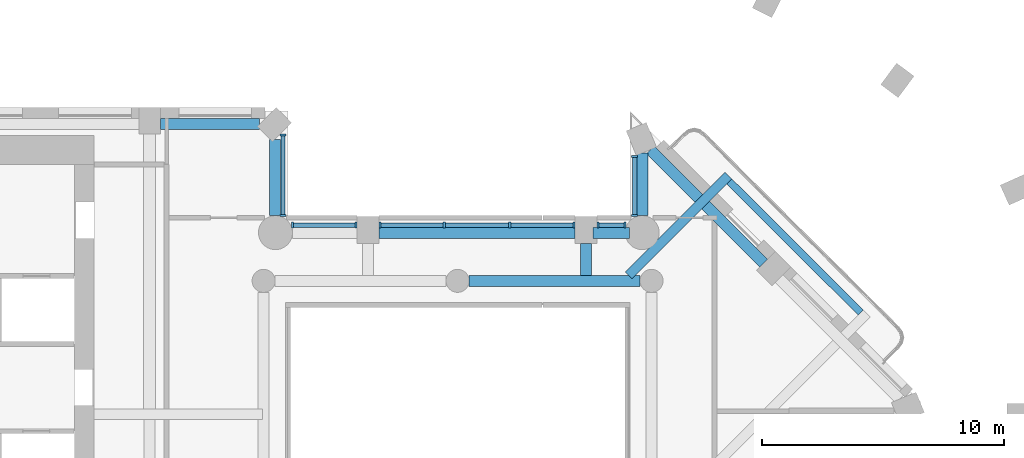
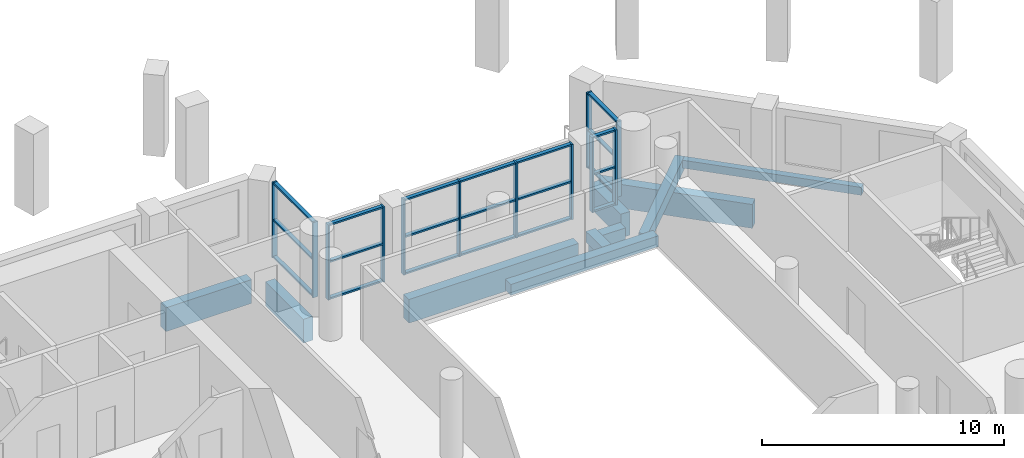
# One storey, part 2 of 16: 33 members, 10 beams, 5 elements without a shape of their own.
"""IFC4 building model written with IfcOpenShell, lengths in metres."""

from ifc_helpers import new_model, si_unit, direction, frame, origin, origin_2d, place, context, subcontext, project, spatial, rectangle, extrude, material, material_profile, profile_set, type_object, element, aggregate, save


model = new_model("IFC4")

# Units and contexts
model_context = context("Model", 3, precision=1e-05, world=origin(), true_north=direction((0.0, 1.0)))
body_context = subcontext(model_context, "Body", "Model", "MODEL_VIEW")
ifc_project = project(units=[si_unit("LENGTHUNIT", "METRE"), si_unit("AREAUNIT", "SQUARE_METRE"), si_unit("VOLUMEUNIT", "CUBIC_METRE"), si_unit("PLANEANGLEUNIT", "RADIAN"), si_unit("MASSUNIT", "GRAM", prefix="KILO")], contexts=[model_context])

# Site, building, storey
site_placement = place(None, origin())
site = spatial("IfcSite", under=ifc_project, at=site_placement, CompositionType="ELEMENT")
building_placement = place(site_placement, origin())
building = spatial("IfcBuilding", under=site, at=building_placement, Name="Cypress Arch Tower", CompositionType="ELEMENT")
storey_placement = place(building_placement, frame((0.0, 0.0, 197.39990234375)))
storey = spatial("IfcBuildingStorey", under=building, at=storey_placement, Name="L43", CompositionType="ELEMENT", Elevation=197.39990234375)

# Beams
ifc_material_1 = material(Name="Concrete C50/60", Category="concrete")
ifc_material_profile_1 = material_profile(ifc_material_1, rectangle(XDim=0.300048828125, YDim=0.39990234375, at=origin_2d()), Name="RC 300x400")
ifc_profile_set_1 = profile_set([ifc_material_profile_1], Name="Concrete C50/60")
beam_type_1 = type_object("IfcBeamType", Name="Balcony edge beam RC 300x400 Concrete C50/60", PredefinedType="BEAM", material=ifc_profile_set_1)
beam_1_placement = place(storey_placement, frame((17.630859375, 8.689453125, -0.5), z_axis=(-0.708157623774, 0.706054374599, 0.0), x_axis=(-0.706054374599, -0.708157623774, 0.0)))
element("IfcBeam", 1, at=beam_1_placement, inside=storey, type_object=beam_type_1, Name="Balcony edge beam L43 B05", PredefinedType="BEAM", context=body_context, shape_type="SweptSolid", body=[
    extrude(rectangle(XDim=0.300048828125, YDim=0.39990234375, at=origin_2d()), origin(), (0.0, 0.0, 1.0), 7.6611328125),
])
ifc_material_2 = material(Name="Concrete C50/60", Category="concrete")
ifc_material_profile_2 = material_profile(ifc_material_2, rectangle(XDim=0.39990234375, YDim=0.64990234375, at=origin_2d()), Name="RC 400x650")
ifc_profile_set_2 = profile_set([ifc_material_profile_2], Name="Concrete C50/60")
beam_type_2 = type_object("IfcBeamType", Name="Cantilever beam RC 400x650 Concrete C50/60", PredefinedType="BEAM", material=ifc_profile_set_2)
beam_2_placement = place(storey_placement, frame((8.04931640625, 10.22509765625, -0.625), z_axis=(0.707127726603, 0.70708583515, 0.0), x_axis=(-0.70708583515, 0.707127726603, 0.0)))
element("IfcBeam", 2, at=beam_2_placement, inside=storey, type_object=beam_type_2, Name="Cantilever beam L43 B05 2", PredefinedType="BEAM", context=body_context, shape_type="SweptSolid", body=[
    extrude(rectangle(XDim=0.39990234375, YDim=0.64990234375, at=origin_2d()), origin(), (0.0, 0.0, 1.0), 5.827880859375),
])
ifc_material_3 = material(Name="Concrete C50/60", Category="concrete")
ifc_material_profile_3 = material_profile(ifc_material_3, rectangle(XDim=0.449951171875, YDim=0.550048828125, at=origin_2d()), Name="RC 450x550")
ifc_profile_set_3 = profile_set([ifc_material_profile_3], Name="Concrete C50/60")
beam_type_3 = type_object("IfcBeamType", Name="Floor beam RC 450x550 Concrete C50/60", PredefinedType="BEAM", material=ifc_profile_set_3)
beam_3_placement = place(storey_placement, frame((1.47509765625, 10.0, -0.574951171875), z_axis=(1.0, 0.0, 0.0), x_axis=(0.0, 1.0, 0.0)))
element("IfcBeam", 3, at=beam_3_placement, inside=storey, type_object=beam_type_3, Name="Floor beam L43 RB008", PredefinedType="BEAM", context=body_context, shape_type="SweptSolid", body=[
    extrude(rectangle(XDim=0.449951171875, YDim=0.550048828125, at=origin_2d()), origin(), (0.0, 0.0, 1.0), 7.0498046875),
])
beam_4_placement = place(storey_placement, frame((6.300048828125, 10.22509765625, -0.574951171875), z_axis=(0.0, 1.0, 0.0), x_axis=(-1.0, 0.0, 0.0)))
element("IfcBeam", 4, at=beam_4_placement, inside=storey, type_object=beam_type_3, Name="Floor beam L43 FB017", PredefinedType="BEAM", context=body_context, shape_type="SweptSolid", body=[
    extrude(rectangle(XDim=0.449951171875, YDim=0.550048828125, at=origin_2d()), origin(), (0.0, 0.0, 1.0), 1.324951171875),
])

# Curtain wall, members
ifc_material_4 = material(Name="Anodised aluminium, bronze finish, clear laminated double glazing", Category="aluminium")
curtain_wall_type = type_object("IfcCurtainWallType", Name="Curtain wall CW7 slot glazing", PredefinedType="NOTDEFINED", material=ifc_material_4)
curtain_wall_1_placement = place(storey_placement, origin())
curtain_wall_1 = element("IfcCurtainWall", 5, at=curtain_wall_1_placement, inside=storey, type_object=curtain_wall_type, Name="Curtain wall L43 slot B06.0", PredefinedType="NOTDEFINED")
ifc_material_5 = material(Name="Anodised aluminium, bronze finish", Category="aluminium")
ifc_material_profile_4 = material_profile(ifc_material_5, rectangle(XDim=0.239990234375, YDim=0.0849609375, at=origin_2d()), Name="Mullion 85x240")
ifc_profile_set_4 = profile_set([ifc_material_profile_4], Name="Anodised aluminium, bronze finish")
member_type_1 = type_object("IfcMemberType", Name="Mullion CW7 85x240", PredefinedType="MULLION", material=ifc_profile_set_4)
member_1_placement = place(storey_placement, frame((8.300048828125, 15.12744140625, 0.0), z_axis=(0.0, 0.0, 1.0), x_axis=(1.0, 0.0, 0.0)))
member_1 = element("IfcMember", 6, at=member_1_placement, type_object=member_type_1, Name="CW7 mullion 1", PredefinedType="MULLION", context=body_context, shape_type="SweptSolid", body=[
    extrude(rectangle(XDim=0.239990234375, YDim=0.0849609375, at=origin_2d()), origin(), (0.0, 0.0, 1.0), 3.800048828125),
])
member_2_placement = place(storey_placement, frame((8.300048828125, 12.697021484375, 0.0), z_axis=(0.0, 0.0, 1.0), x_axis=(1.0, 0.0, 0.0)))
member_2 = element("IfcMember", 7, at=member_2_placement, type_object=member_type_1, Name="CW7 mullion 2", PredefinedType="MULLION", context=body_context, shape_type="SweptSolid", body=[
    extrude(rectangle(XDim=0.239990234375, YDim=0.0849609375, at=origin_2d()), origin(), (0.0, 0.0, 1.0), 3.800048828125),
])

curtain_wall_2_placement = place(storey_placement, origin())
curtain_wall_2 = element("IfcCurtainWall", 8, at=curtain_wall_2_placement, inside=storey, type_object=curtain_wall_type, Name="Curtain wall L43 slot B07.0", PredefinedType="NOTDEFINED")
member_3_placement = place(storey_placement, frame((7.903076171875, 12.300048828125, 0.0), z_axis=(0.0, 0.0, 1.0), x_axis=(0.0, -1.0, 0.0)))
member_3 = element("IfcMember", 9, at=member_3_placement, type_object=member_type_1, Name="CW7 mullion 1", PredefinedType="MULLION", context=body_context, shape_type="SweptSolid", body=[
    extrude(rectangle(XDim=0.239990234375, YDim=0.0849609375, at=origin_2d()), origin(), (0.0, 0.0, 1.0), 3.800048828125),
])
member_4_placement = place(storey_placement, frame((6.79248046875, 12.300048828125, 0.0), z_axis=(0.0, 0.0, 1.0), x_axis=(0.0, -1.0, 0.0)))
member_4 = element("IfcMember", 10, at=member_4_placement, type_object=member_type_1, Name="CW7 mullion 2", PredefinedType="MULLION", context=body_context, shape_type="SweptSolid", body=[
    extrude(rectangle(XDim=0.239990234375, YDim=0.0849609375, at=origin_2d()), origin(), (0.0, 0.0, 1.0), 3.800048828125),
])

curtain_wall_3_placement = place(storey_placement, origin())
curtain_wall_3 = element("IfcCurtainWall", 11, at=curtain_wall_3_placement, inside=storey, type_object=curtain_wall_type, Name="Curtain wall L43 slot B07.1", PredefinedType="NOTDEFINED")
member_5_placement = place(storey_placement, frame((5.8076171875, 12.300048828125, 0.0), z_axis=(0.0, 0.0, 1.0), x_axis=(0.0, -1.0, 0.0)))
member_5 = element("IfcMember", 12, at=member_5_placement, type_object=member_type_1, Name="CW7 mullion 1", PredefinedType="MULLION", context=body_context, shape_type="SweptSolid", body=[
    extrude(rectangle(XDim=0.239990234375, YDim=0.0849609375, at=origin_2d()), origin(), (0.0, 0.0, 1.0), 3.800048828125),
])
member_6_placement = place(storey_placement, frame((3.14990234375, 12.300048828125, 0.0), z_axis=(0.0, 0.0, 1.0), x_axis=(0.0, -1.0, 0.0)))
member_6 = element("IfcMember", 13, at=member_6_placement, type_object=member_type_1, Name="CW7 mullion 2", PredefinedType="MULLION", context=body_context, shape_type="SweptSolid", body=[
    extrude(rectangle(XDim=0.239990234375, YDim=0.0849609375, at=origin_2d()), origin(), (0.0, 0.0, 1.0), 3.800048828125),
])
member_7_placement = place(storey_placement, frame((0.449951171875, 12.300048828125, 0.0), z_axis=(0.0, 0.0, 1.0), x_axis=(0.0, -1.0, 0.0)))
member_7 = element("IfcMember", 14, at=member_7_placement, type_object=member_type_1, Name="CW7 mullion 3", PredefinedType="MULLION", context=body_context, shape_type="SweptSolid", body=[
    extrude(rectangle(XDim=0.239990234375, YDim=0.0849609375, at=origin_2d()), origin(), (0.0, 0.0, 1.0), 3.800048828125),
])
member_8_placement = place(storey_placement, frame((-2.20751953125, 12.300048828125, 0.0), z_axis=(0.0, 0.0, 1.0), x_axis=(0.0, -1.0, 0.0)))
member_8 = element("IfcMember", 15, at=member_8_placement, type_object=member_type_1, Name="CW7 mullion 4", PredefinedType="MULLION", context=body_context, shape_type="SweptSolid", body=[
    extrude(rectangle(XDim=0.239990234375, YDim=0.0849609375, at=origin_2d()), origin(), (0.0, 0.0, 1.0), 3.800048828125),
])

curtain_wall_4_placement = place(storey_placement, origin())
curtain_wall_4 = element("IfcCurtainWall", 16, at=curtain_wall_4_placement, inside=storey, type_object=curtain_wall_type, Name="Curtain wall L43 slot B07.2", PredefinedType="NOTDEFINED")
member_9_placement = place(storey_placement, frame((-3.1923828125, 12.300048828125, 0.0), z_axis=(0.0, 0.0, 1.0), x_axis=(0.0, -1.0, 0.0)))
member_9 = element("IfcMember", 17, at=member_9_placement, type_object=member_type_1, Name="CW7 mullion 1", PredefinedType="MULLION", context=body_context, shape_type="SweptSolid", body=[
    extrude(rectangle(XDim=0.239990234375, YDim=0.0849609375, at=origin_2d()), origin(), (0.0, 0.0, 1.0), 3.800048828125),
])
member_10_placement = place(storey_placement, frame((-5.802978515625, 12.300048828125, 0.0), z_axis=(0.0, 0.0, 1.0), x_axis=(0.0, -1.0, 0.0)))
member_10 = element("IfcMember", 18, at=member_10_placement, type_object=member_type_1, Name="CW7 mullion 2", PredefinedType="MULLION", context=body_context, shape_type="SweptSolid", body=[
    extrude(rectangle(XDim=0.239990234375, YDim=0.0849609375, at=origin_2d()), origin(), (0.0, 0.0, 1.0), 3.800048828125),
])

curtain_wall_5_placement = place(storey_placement, origin())
curtain_wall_5 = element("IfcCurtainWall", 19, at=curtain_wall_5_placement, inside=storey, type_object=curtain_wall_type, Name="Curtain wall L43 slot B08.0", PredefinedType="NOTDEFINED")
member_11_placement = place(storey_placement, frame((-6.199951171875, 12.697021484375, 0.0), z_axis=(0.0, 0.0, 1.0), x_axis=(-1.0, 0.0, 0.0)))
member_11 = element("IfcMember", 20, at=member_11_placement, type_object=member_type_1, Name="CW7 mullion 1", PredefinedType="MULLION", context=body_context, shape_type="SweptSolid", body=[
    extrude(rectangle(XDim=0.239990234375, YDim=0.0849609375, at=origin_2d()), origin(), (0.0, 0.0, 1.0), 3.800048828125),
])
member_12_placement = place(storey_placement, frame((-6.199951171875, 16.02099609375, 0.0), z_axis=(0.0, 0.0, 1.0), x_axis=(-1.0, 0.0, 0.0)))
member_12 = element("IfcMember", 21, at=member_12_placement, type_object=member_type_1, Name="CW7 mullion 2", PredefinedType="MULLION", context=body_context, shape_type="SweptSolid", body=[
    extrude(rectangle(XDim=0.239990234375, YDim=0.0849609375, at=origin_2d()), origin(), (0.0, 0.0, 1.0), 3.800048828125),
])

# Beams
ifc_material_6 = material(Name="Concrete C50/60", Category="concrete")
ifc_material_profile_5 = material_profile(ifc_material_6, rectangle(XDim=0.449951171875, YDim=1.199951171875, at=origin_2d()), Name="RC 450x1200")
ifc_profile_set_5 = profile_set([ifc_material_profile_5], Name="Concrete C50/60")
beam_type_4 = type_object("IfcBeamType", Name="Spandrel beam RC 450x1200 Concrete C50/60", PredefinedType="SPANDREL", material=ifc_profile_set_5)
beam_5_placement = place(storey_placement, frame((13.622802734375, 10.73486328125, -1.5498046875), z_axis=(-0.707106781187, 0.707106781187, 0.0), x_axis=(-0.707106781187, -0.707106781187, 0.0)))
element("IfcBeam", 22, at=beam_5_placement, inside=storey, type_object=beam_type_4, Name="Spandrel beam L43 BB05-1", PredefinedType="SPANDREL", context=body_context, shape_type="SweptSolid", body=[
    extrude(rectangle(XDim=0.449951171875, YDim=1.199951171875, at=origin_2d()), origin(), (0.0, 0.0, 1.0), 6.610595703125),
])
beam_6_placement = place(storey_placement, frame((8.625, 15.275146484375, -1.5498046875), z_axis=(0.0, -1.0, 0.0), x_axis=(1.0, 0.0, 0.0)))
element("IfcBeam", 23, at=beam_6_placement, inside=storey, type_object=beam_type_4, Name="Spandrel beam L43 BB06-0", PredefinedType="SPANDREL", context=body_context, shape_type="SweptSolid", body=[
    extrude(rectangle(XDim=0.449951171875, YDim=1.199951171875, at=origin_2d()), origin(), (0.0, 0.0, 1.0), 2.587646484375),
])
beam_7_placement = place(storey_placement, frame((8.081298828125, 11.97509765625, -1.5498046875), z_axis=(-1.0, 0.0, 0.0), x_axis=(0.0, -1.0, 0.0)))
element("IfcBeam", 24, at=beam_7_placement, inside=storey, type_object=beam_type_4, Name="Spandrel beam L43 BB07-0", PredefinedType="SPANDREL", context=body_context, shape_type="SweptSolid", body=[
    extrude(rectangle(XDim=0.449951171875, YDim=1.199951171875, at=origin_2d()), origin(), (0.0, 0.0, 1.0), 1.5),
])
beam_8_placement = place(storey_placement, frame((5.85009765625, 11.97509765625, -1.5498046875), z_axis=(-1.0, 0.0, 0.0), x_axis=(0.0, -1.0, 0.0)))
element("IfcBeam", 25, at=beam_8_placement, inside=storey, type_object=beam_type_4, Name="Spandrel beam L43 BB07-1", PredefinedType="SPANDREL", context=body_context, shape_type="SweptSolid", body=[
    extrude(rectangle(XDim=0.449951171875, YDim=1.199951171875, at=origin_2d()), origin(), (0.0, 0.0, 1.0), 8.10009765625),
])
beam_9_placement = place(storey_placement, frame((-6.52490234375, 12.6875, -1.5498046875), z_axis=(0.0, 1.0, 0.0), x_axis=(-1.0, 0.0, 0.0)))
element("IfcBeam", 26, at=beam_9_placement, inside=storey, type_object=beam_type_4, Name="Spandrel beam L43 BB08-0", PredefinedType="SPANDREL", context=body_context, shape_type="SweptSolid", body=[
    extrude(rectangle(XDim=0.449951171875, YDim=1.199951171875, at=origin_2d()), origin(), (0.0, 0.0, 1.0), 3.151123046875),
])
beam_10_placement = place(storey_placement, frame((-7.161376953125, 16.47509765625, -1.5498046875), z_axis=(-1.0, 0.0, 0.0), x_axis=(0.0, -1.0, 0.0)))
element("IfcBeam", 27, at=beam_10_placement, inside=storey, type_object=beam_type_4, Name="Spandrel beam L43 BB09-0", PredefinedType="SPANDREL", context=body_context, shape_type="SweptSolid", body=[
    extrude(rectangle(XDim=0.449951171875, YDim=1.199951171875, at=origin_2d()), origin(), (0.0, 0.0, 1.0), 4.088623046875),
])

# Member
ifc_material_7 = material(Name="Anodised aluminium, bronze finish", Category="aluminium")
ifc_material_profile_6 = material_profile(ifc_material_7, rectangle(XDim=0.179931640625, YDim=0.0849609375, at=origin_2d()), Name="Transom 85x180")
ifc_profile_set_6 = profile_set([ifc_material_profile_6], Name="Anodised aluminium, bronze finish")
member_type_2 = type_object("IfcMemberType", Name="Transom CW7 85x180", PredefinedType="USERDEFINED", material=ifc_profile_set_6)
member_13_placement = place(storey_placement, frame((8.300048828125, 15.0849609375, 0.04248046875), z_axis=(0.0, -1.0, 0.0), x_axis=(1.0, 0.0, 0.0)))
member_13 = element("IfcMember", 28, at=member_13_placement, type_object=member_type_2, Name="CW7 transom 1.1", ObjectType="TRANSOM", PredefinedType="USERDEFINED", context=body_context, shape_type="SweptSolid", body=[
    extrude(rectangle(XDim=0.179931640625, YDim=0.0849609375, at=origin_2d()), origin(), (0.0, 0.0, 1.0), 2.345458984375),
])

member_14_placement = place(storey_placement, frame((8.300048828125, 15.0849609375, 1.900146484375), z_axis=(0.0, -1.0, 0.0), x_axis=(1.0, 0.0, 0.0)))
member_14 = element("IfcMember", 29, at=member_14_placement, type_object=member_type_2, Name="CW7 transom 1.2", ObjectType="TRANSOM", PredefinedType="USERDEFINED", context=body_context, shape_type="SweptSolid", body=[
    extrude(rectangle(XDim=0.179931640625, YDim=0.0849609375, at=origin_2d()), origin(), (0.0, 0.0, 1.0), 2.345458984375),
])

member_15_placement = place(storey_placement, frame((8.300048828125, 15.0849609375, 3.757568359375), z_axis=(0.0, -1.0, 0.0), x_axis=(1.0, 0.0, 0.0)))
member_15 = element("IfcMember", 30, at=member_15_placement, type_object=member_type_2, Name="CW7 transom 1.3", ObjectType="TRANSOM", PredefinedType="USERDEFINED", context=body_context, shape_type="SweptSolid", body=[
    extrude(rectangle(XDim=0.179931640625, YDim=0.0849609375, at=origin_2d()), origin(), (0.0, 0.0, 1.0), 2.345458984375),
])

aggregate(curtain_wall_1, [member_1, member_2, member_13, member_14, member_15])

member_16_placement = place(storey_placement, frame((7.8603515625, 12.300048828125, 0.04248046875), z_axis=(-1.0, 0.0, 0.0), x_axis=(0.0, -1.0, 0.0)))
member_16 = element("IfcMember", 31, at=member_16_placement, type_object=member_type_2, Name="CW7 transom 1.1", ObjectType="TRANSOM", PredefinedType="USERDEFINED", context=body_context, shape_type="SweptSolid", body=[
    extrude(rectangle(XDim=0.179931640625, YDim=0.0849609375, at=origin_2d()), origin(), (0.0, 0.0, 1.0), 1.025390625),
])

member_17_placement = place(storey_placement, frame((7.8603515625, 12.300048828125, 1.900146484375), z_axis=(-1.0, 0.0, 0.0), x_axis=(0.0, -1.0, 0.0)))
member_17 = element("IfcMember", 32, at=member_17_placement, type_object=member_type_2, Name="CW7 transom 1.2", ObjectType="TRANSOM", PredefinedType="USERDEFINED", context=body_context, shape_type="SweptSolid", body=[
    extrude(rectangle(XDim=0.179931640625, YDim=0.0849609375, at=origin_2d()), origin(), (0.0, 0.0, 1.0), 1.025390625),
])

member_18_placement = place(storey_placement, frame((7.8603515625, 12.300048828125, 3.757568359375), z_axis=(-1.0, 0.0, 0.0), x_axis=(0.0, -1.0, 0.0)))
member_18 = element("IfcMember", 33, at=member_18_placement, type_object=member_type_2, Name="CW7 transom 1.3", ObjectType="TRANSOM", PredefinedType="USERDEFINED", context=body_context, shape_type="SweptSolid", body=[
    extrude(rectangle(XDim=0.179931640625, YDim=0.0849609375, at=origin_2d()), origin(), (0.0, 0.0, 1.0), 1.025390625),
])

aggregate(curtain_wall_2, [member_3, member_4, member_16, member_17, member_18])

member_19_placement = place(storey_placement, frame((5.764892578125, 12.300048828125, 0.04248046875), z_axis=(-1.0, 0.0, 0.0), x_axis=(0.0, -1.0, 0.0)))
member_19 = element("IfcMember", 34, at=member_19_placement, type_object=member_type_2, Name="CW7 transom 1.1", ObjectType="TRANSOM", PredefinedType="USERDEFINED", context=body_context, shape_type="SweptSolid", body=[
    extrude(rectangle(XDim=0.179931640625, YDim=0.0849609375, at=origin_2d()), origin(), (0.0, 0.0, 1.0), 2.572509765625),
])

member_20_placement = place(storey_placement, frame((5.764892578125, 12.300048828125, 1.900146484375), z_axis=(-1.0, 0.0, 0.0), x_axis=(0.0, -1.0, 0.0)))
member_20 = element("IfcMember", 35, at=member_20_placement, type_object=member_type_2, Name="CW7 transom 1.2", ObjectType="TRANSOM", PredefinedType="USERDEFINED", context=body_context, shape_type="SweptSolid", body=[
    extrude(rectangle(XDim=0.179931640625, YDim=0.0849609375, at=origin_2d()), origin(), (0.0, 0.0, 1.0), 2.572509765625),
])

member_21_placement = place(storey_placement, frame((5.764892578125, 12.300048828125, 3.757568359375), z_axis=(-1.0, 0.0, 0.0), x_axis=(0.0, -1.0, 0.0)))
member_21 = element("IfcMember", 36, at=member_21_placement, type_object=member_type_2, Name="CW7 transom 1.3", ObjectType="TRANSOM", PredefinedType="USERDEFINED", context=body_context, shape_type="SweptSolid", body=[
    extrude(rectangle(XDim=0.179931640625, YDim=0.0849609375, at=origin_2d()), origin(), (0.0, 0.0, 1.0), 2.572509765625),
])

member_22_placement = place(storey_placement, frame((3.107421875, 12.300048828125, 0.04248046875), z_axis=(-1.0, 0.0, 0.0), x_axis=(0.0, -1.0, 0.0)))
member_22 = element("IfcMember", 37, at=member_22_placement, type_object=member_type_2, Name="CW7 transom 2.1", ObjectType="TRANSOM", PredefinedType="USERDEFINED", context=body_context, shape_type="SweptSolid", body=[
    extrude(rectangle(XDim=0.179931640625, YDim=0.0849609375, at=origin_2d()), origin(), (0.0, 0.0, 1.0), 2.614990234375),
])

member_23_placement = place(storey_placement, frame((3.107421875, 12.300048828125, 1.900146484375), z_axis=(-1.0, 0.0, 0.0), x_axis=(0.0, -1.0, 0.0)))
member_23 = element("IfcMember", 38, at=member_23_placement, type_object=member_type_2, Name="CW7 transom 2.2", ObjectType="TRANSOM", PredefinedType="USERDEFINED", context=body_context, shape_type="SweptSolid", body=[
    extrude(rectangle(XDim=0.179931640625, YDim=0.0849609375, at=origin_2d()), origin(), (0.0, 0.0, 1.0), 2.614990234375),
])

member_24_placement = place(storey_placement, frame((3.107421875, 12.300048828125, 3.757568359375), z_axis=(-1.0, 0.0, 0.0), x_axis=(0.0, -1.0, 0.0)))
member_24 = element("IfcMember", 39, at=member_24_placement, type_object=member_type_2, Name="CW7 transom 2.3", ObjectType="TRANSOM", PredefinedType="USERDEFINED", context=body_context, shape_type="SweptSolid", body=[
    extrude(rectangle(XDim=0.179931640625, YDim=0.0849609375, at=origin_2d()), origin(), (0.0, 0.0, 1.0), 2.614990234375),
])

member_25_placement = place(storey_placement, frame((0.407470703125, 12.300048828125, 0.04248046875), z_axis=(-1.0, 0.0, 0.0), x_axis=(0.0, -1.0, 0.0)))
member_25 = element("IfcMember", 40, at=member_25_placement, type_object=member_type_2, Name="CW7 transom 3.1", ObjectType="TRANSOM", PredefinedType="USERDEFINED", context=body_context, shape_type="SweptSolid", body=[
    extrude(rectangle(XDim=0.179931640625, YDim=0.0849609375, at=origin_2d()), origin(), (0.0, 0.0, 1.0), 2.572509765625),
])

member_26_placement = place(storey_placement, frame((0.407470703125, 12.300048828125, 1.900146484375), z_axis=(-1.0, 0.0, 0.0), x_axis=(0.0, -1.0, 0.0)))
member_26 = element("IfcMember", 41, at=member_26_placement, type_object=member_type_2, Name="CW7 transom 3.2", ObjectType="TRANSOM", PredefinedType="USERDEFINED", context=body_context, shape_type="SweptSolid", body=[
    extrude(rectangle(XDim=0.179931640625, YDim=0.0849609375, at=origin_2d()), origin(), (0.0, 0.0, 1.0), 2.572509765625),
])

member_27_placement = place(storey_placement, frame((0.407470703125, 12.300048828125, 3.757568359375), z_axis=(-1.0, 0.0, 0.0), x_axis=(0.0, -1.0, 0.0)))
member_27 = element("IfcMember", 42, at=member_27_placement, type_object=member_type_2, Name="CW7 transom 3.3", ObjectType="TRANSOM", PredefinedType="USERDEFINED", context=body_context, shape_type="SweptSolid", body=[
    extrude(rectangle(XDim=0.179931640625, YDim=0.0849609375, at=origin_2d()), origin(), (0.0, 0.0, 1.0), 2.572509765625),
])

aggregate(curtain_wall_3, [member_5, member_6, member_7, member_8, member_19, member_20, member_21, member_22, member_23, member_24, member_25, member_26, member_27])

member_28_placement = place(storey_placement, frame((-3.235107421875, 12.300048828125, 0.04248046875), z_axis=(-1.0, 0.0, 0.0), x_axis=(0.0, -1.0, 0.0)))
member_28 = element("IfcMember", 43, at=member_28_placement, type_object=member_type_2, Name="CW7 transom 1.1", ObjectType="TRANSOM", PredefinedType="USERDEFINED", context=body_context, shape_type="SweptSolid", body=[
    extrude(rectangle(XDim=0.179931640625, YDim=0.0849609375, at=origin_2d()), origin(), (0.0, 0.0, 1.0), 2.525390625),
])

member_29_placement = place(storey_placement, frame((-3.235107421875, 12.300048828125, 1.900146484375), z_axis=(-1.0, 0.0, 0.0), x_axis=(0.0, -1.0, 0.0)))
member_29 = element("IfcMember", 44, at=member_29_placement, type_object=member_type_2, Name="CW7 transom 1.2", ObjectType="TRANSOM", PredefinedType="USERDEFINED", context=body_context, shape_type="SweptSolid", body=[
    extrude(rectangle(XDim=0.179931640625, YDim=0.0849609375, at=origin_2d()), origin(), (0.0, 0.0, 1.0), 2.525390625),
])

member_30_placement = place(storey_placement, frame((-3.235107421875, 12.300048828125, 3.757568359375), z_axis=(-1.0, 0.0, 0.0), x_axis=(0.0, -1.0, 0.0)))
member_30 = element("IfcMember", 45, at=member_30_placement, type_object=member_type_2, Name="CW7 transom 1.3", ObjectType="TRANSOM", PredefinedType="USERDEFINED", context=body_context, shape_type="SweptSolid", body=[
    extrude(rectangle(XDim=0.179931640625, YDim=0.0849609375, at=origin_2d()), origin(), (0.0, 0.0, 1.0), 2.525390625),
])

aggregate(curtain_wall_4, [member_9, member_10, member_28, member_29, member_30])

member_31_placement = place(storey_placement, frame((-6.199951171875, 12.739501953125, 0.04248046875), z_axis=(0.0, 1.0, 0.0), x_axis=(-1.0, 0.0, 0.0)))
member_31 = element("IfcMember", 46, at=member_31_placement, type_object=member_type_2, Name="CW7 transom 1.1", ObjectType="TRANSOM", PredefinedType="USERDEFINED", context=body_context, shape_type="SweptSolid", body=[
    extrude(rectangle(XDim=0.179931640625, YDim=0.0849609375, at=origin_2d()), origin(), (0.0, 0.0, 1.0), 3.239013671875),
])

member_32_placement = place(storey_placement, frame((-6.199951171875, 12.739501953125, 1.900146484375), z_axis=(0.0, 1.0, 0.0), x_axis=(-1.0, 0.0, 0.0)))
member_32 = element("IfcMember", 47, at=member_32_placement, type_object=member_type_2, Name="CW7 transom 1.2", ObjectType="TRANSOM", PredefinedType="USERDEFINED", context=body_context, shape_type="SweptSolid", body=[
    extrude(rectangle(XDim=0.179931640625, YDim=0.0849609375, at=origin_2d()), origin(), (0.0, 0.0, 1.0), 3.239013671875),
])

member_33_placement = place(storey_placement, frame((-6.199951171875, 12.739501953125, 3.757568359375), z_axis=(0.0, 1.0, 0.0), x_axis=(-1.0, 0.0, 0.0)))
member_33 = element("IfcMember", 48, at=member_33_placement, type_object=member_type_2, Name="CW7 transom 1.3", ObjectType="TRANSOM", PredefinedType="USERDEFINED", context=body_context, shape_type="SweptSolid", body=[
    extrude(rectangle(XDim=0.179931640625, YDim=0.0849609375, at=origin_2d()), origin(), (0.0, 0.0, 1.0), 3.239013671875),
])

aggregate(curtain_wall_5, [member_11, member_12, member_31, member_32, member_33])

save(model, "model.ifc")
